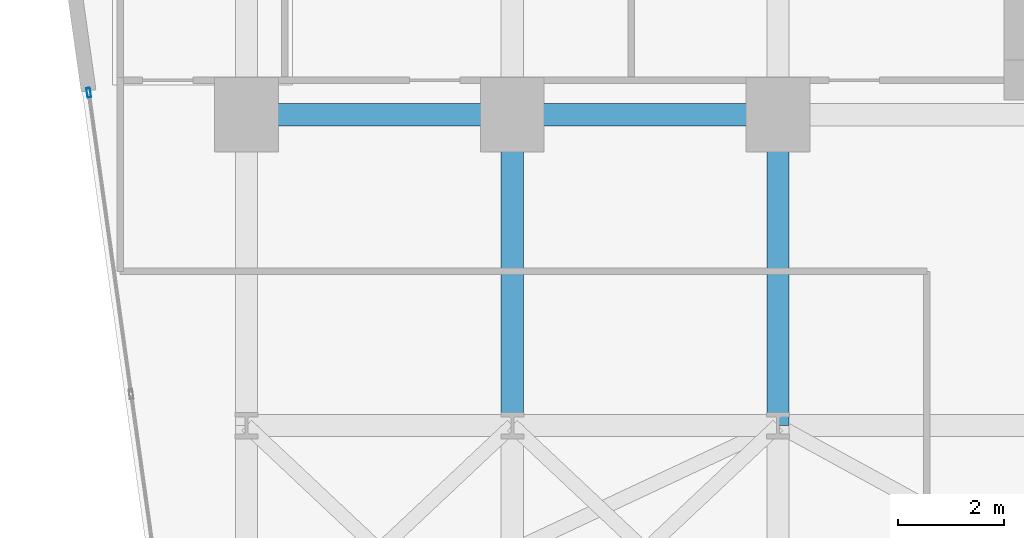
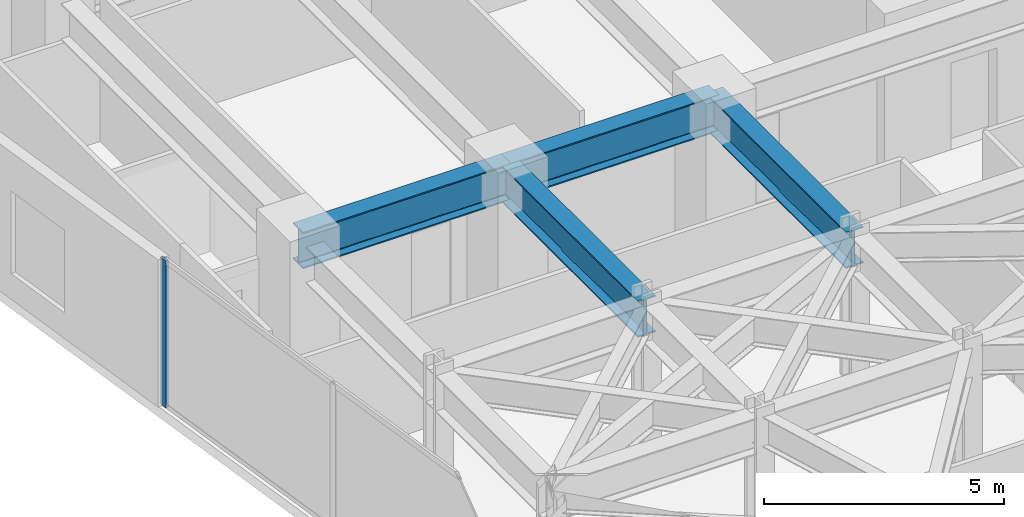
# One storey, part 17 of 24: 4 beams, 1 member, 1 element without a shape of its own.
"""IFC4 building model written with IfcOpenShell, lengths in metres."""

import ifcopenshell
import ifcopenshell.guid

model = None  # the IFC model being written
_history = None  # IfcOwnerHistory: only IFC2X3 demands one
_inside = {}  # id of a spatial element -> (the spatial element, [elements in it])
_under = {}  # id of a project, library or spatial element -> (it, [spatial elements below it])
_declared = {}  # id of a project -> (the project, [libraries it declares])
_typed = {}  # id of a type object -> (the type object, [elements of that type])
_made_of = {}  # id of a material, layer set ... -> (it, [elements and type objects made of it])


def new_model(schema):
    """Start an empty IFC model of exactly this schema.

    Asked for "IFC4X3", IfcOpenShell would pick the latest addendum, in which some entities
    have other attributes; the version numbers below select the first issue.
    IFC2X3 requires an IfcOwnerHistory on every rooted entity: one is made here for all.
    """
    global model, _history
    if schema == "IFC4X3":
        model = ifcopenshell.file(schema_version=(4, 3, 0, 0))
    else:
        model = ifcopenshell.file(schema=schema)
    _inside.clear()
    _under.clear()
    _declared.clear()
    _typed.clear()
    _made_of.clear()
    _history = None
    if model.schema == "IFC2X3":
        org = make("IfcOrganization", Name="unknown")
        user = make(
            "IfcPersonAndOrganization",
            ThePerson=make("IfcPerson", FamilyName="unknown"),
            TheOrganization=org,
        )
        app = make(
            "IfcApplication",
            ApplicationDeveloper=org,
            Version="unknown",
            ApplicationFullName="unknown",
            ApplicationIdentifier="unknown",
        )
        _history = make(
            "IfcOwnerHistory",
            OwningUser=user,
            OwningApplication=app,
            ChangeAction="ADDED",
            CreationDate=0,
        )
    return model


def make(cls, **values):
    """One entity of the class cls with the attributes given. An attribute that is None is left unset."""
    return model.create_entity(
        cls, **{name: value for name, value in values.items() if value is not None}
    )


def rooted(cls, **values):
    """An entity with a GlobalId (a new one), such as an element, a storey or a relation."""
    return make(cls, GlobalId=ifcopenshell.guid.new(), OwnerHistory=_history, **values)


def si_unit(unit_type, name, prefix=None):
    """IfcSIUnit, for example si_unit("LENGTHUNIT", "METRE", prefix="MILLI")."""
    return make("IfcSIUnit", UnitType=unit_type, Prefix=prefix, Name=name)


def assignment(units):
    """IfcUnitAssignment: the units of a project."""
    return None if units is None else make("IfcUnitAssignment", Units=units)


def point(xyz):
    """IfcCartesianPoint."""
    return None if xyz is None else make("IfcCartesianPoint", Coordinates=xyz)


def direction(xyz):
    """IfcDirection."""
    return None if xyz is None else make("IfcDirection", DirectionRatios=xyz)


def frame(location, z_axis=None, x_axis=None):
    """IfcAxis2Placement3D, a coordinate frame: its origin and axes. An axis left out is left unset."""
    return make(
        "IfcAxis2Placement3D",
        Location=point(location),
        Axis=direction(z_axis),
        RefDirection=direction(x_axis),
    )


def frame_2d(location, x_axis=None):
    """IfcAxis2Placement2D, a coordinate frame in the plane: its origin and x axis."""
    return make(
        "IfcAxis2Placement2D", Location=point(location), RefDirection=direction(x_axis)
    )


def origin():
    """The frame at (0, 0, 0) with its axes left unset."""
    return frame((0.0, 0.0, 0.0))


def origin_2d():
    """The frame at (0, 0) in the plane with its x axis left unset."""
    return frame_2d((0.0, 0.0))


def place(relative_to, where):
    """IfcLocalPlacement: puts the frame where relative to a parent placement (None: the world)."""
    return make(
        "IfcLocalPlacement", PlacementRelTo=relative_to, RelativePlacement=where
    )


def context(
    kind, dimensions, precision=None, world=None, true_north=None, identifier=None
):
    """IfcGeometricRepresentationContext, for example the 3D "Model" context."""
    return make(
        "IfcGeometricRepresentationContext",
        ContextIdentifier=identifier,
        ContextType=kind,
        CoordinateSpaceDimension=dimensions,
        Precision=precision,
        WorldCoordinateSystem=world,
        TrueNorth=true_north,
    )


def subcontext(parent, identifier, kind, view, scale=None):
    """IfcGeometricRepresentationSubContext, for example "Body" below "Model"."""
    return make(
        "IfcGeometricRepresentationSubContext",
        ContextIdentifier=identifier,
        ContextType=kind,
        ParentContext=parent,
        TargetScale=scale,
        TargetView=view,
    )


def project(units=None, contexts=None):
    """IfcProject with its units and contexts."""
    return rooted(
        "IfcProject",
        Name="project",
        RepresentationContexts=contexts,
        UnitsInContext=assignment(units),
    )


def spatial(cls, under=None, at=None, **own):
    """A site, building, storey or space (cls), placed at a placement, below another one or the project."""
    s = rooted(cls, ObjectPlacement=at, **own)
    if under is not None:
        _under.setdefault(under.id(), (under, []))[1].append(s)
    return s


def profile(cls, at=None, kind="AREA", **sizes):
    """A parametric profile (cls). Its sizes go by their IFC names, for example OverallWidth=200.0."""
    return make(cls, ProfileType=kind, Position=at, **sizes)


def hollow_rectangle(**sizes):
    """IfcRectangleHollowProfileDef."""
    return profile("IfcRectangleHollowProfileDef", **sizes)


def i_section(**sizes):
    """IfcIShapeProfileDef."""
    return profile("IfcIShapeProfileDef", **sizes)


def extrude(swept, where, along, depth):
    """IfcExtrudedAreaSolid: the profile swept, set in the frame where, extruded along a direction by depth."""
    return make(
        "IfcExtrudedAreaSolid",
        SweptArea=swept,
        Position=where,
        ExtrudedDirection=direction(along),
        Depth=depth,
    )


def shape(context_of_items, identifier, shape_type, items):
    """IfcShapeRepresentation: the items that make up one representation, for example the "Body"."""
    return make(
        "IfcShapeRepresentation",
        ContextOfItems=context_of_items,
        RepresentationIdentifier=identifier,
        RepresentationType=shape_type,
        Items=items,
    )


def material(Name=None, Category=None):
    """IfcMaterial."""
    return make("IfcMaterial", Name=Name, Category=Category)


def layer(
    of_material, thickness, ventilated=None, Name=None, Category=None, Priority=None
):
    """IfcMaterialLayer: one layer of a wall or slab, of a material (None: an air gap)."""
    return make(
        "IfcMaterialLayer",
        Material=of_material,
        LayerThickness=thickness,
        IsVentilated=ventilated,
        Name=Name,
        Category=Category,
        Priority=Priority,
    )


def layer_set(layers, Name=None):
    """IfcMaterialLayerSet."""
    return make("IfcMaterialLayerSet", MaterialLayers=layers, LayerSetName=Name)


def material_profile(
    of_material, cross_section, Name=None, Category=None, Priority=None
):
    """IfcMaterialProfile: a cross section and its material."""
    return make(
        "IfcMaterialProfile",
        Name=Name,
        Material=of_material,
        Profile=cross_section,
        Priority=Priority,
        Category=Category,
    )


def profile_set(profiles, Name=None, composite=None):
    """IfcMaterialProfileSet."""
    return make(
        "IfcMaterialProfileSet",
        Name=Name,
        MaterialProfiles=profiles,
        CompositeProfile=composite,
    )


def made_of(thing, what):
    """Note that an element or type object is made of a material, layer set ...; save() writes the relation."""
    if what is not None:
        _made_of.setdefault(what.id(), (what, []))[1].append(thing)
    return thing


def type_object(cls, material=None, **own):
    """A type object (cls), such as IfcWallType, which elements share."""
    return made_of(rooted(cls, **own), material)


def element(
    cls,
    number,
    at=None,
    inside=None,
    cuts=None,
    type_object=None,
    material=None,
    context=None,
    identifier="Body",
    shape_type=None,
    held_by="IfcProductDefinitionShape",
    body=None,
    shapes=None,
    **own,
):
    """One element of the class cls, such as IfcWall. Its Tag is "e" and its number.

    at: its placement. inside: the storey or other place that contains it. cuts: it is an
    opening in that element (IfcRelVoidsElement). A single representation is given by context,
    identifier, shape_type and body (its items); several are given by shapes. held_by: the class
    of the entity that holds the representations. save() writes the other relations.
    """
    e = rooted(cls, Tag="e%d" % number, ObjectPlacement=at, **own)
    if body is not None:
        shapes = [shape(context, identifier, shape_type, body)]
    if shapes is not None:
        e.Representation = make(held_by, Representations=shapes)
    if inside is not None:
        _inside.setdefault(inside.id(), (inside, []))[1].append(e)
    if cuts is not None:
        rooted(
            "IfcRelVoidsElement", RelatingBuildingElement=cuts, RelatedOpeningElement=e
        )
    if type_object is not None:
        _typed.setdefault(type_object.id(), (type_object, []))[1].append(e)
    return made_of(e, material)


def aggregate(whole, parts):
    """IfcRelAggregates: a whole, such as a stair, and the parts it consists of."""
    return rooted("IfcRelAggregates", RelatingObject=whole, RelatedObjects=parts)


def save(model, path):
    """Write the relations noted so far, then the file.

    IfcRelAggregates (storeys below a building ...), IfcRelContainedInSpatialStructure (elements
    in a storey), IfcRelDefinesByType, IfcRelAssociatesMaterial and IfcRelDeclares: one each for
    every whole, place, type object, material and project.
    """
    for whole, parts in _under.values():
        aggregate(whole, parts)
    for where, things in _inside.values():
        rooted(
            "IfcRelContainedInSpatialStructure",
            RelatedElements=things,
            RelatingStructure=where,
        )
    for kind, things in _typed.values():
        rooted("IfcRelDefinesByType", RelatedObjects=things, RelatingType=kind)
    for what, things in _made_of.values():
        rooted("IfcRelAssociatesMaterial", RelatedObjects=things, RelatingMaterial=what)
    for by, libraries in _declared.values():
        rooted("IfcRelDeclares", RelatingContext=by, RelatedDefinitions=libraries)
    model.write(path)


model = new_model("IFC4")

# Units and contexts
model_context = context("Model", 3, precision=1e-05, world=origin(), true_north=direction((0.0, 1.0)))
body_context = subcontext(model_context, "Body", "Model", "MODEL_VIEW")
ifc_project = project(units=[si_unit("LENGTHUNIT", "METRE"), si_unit("AREAUNIT", "SQUARE_METRE"), si_unit("VOLUMEUNIT", "CUBIC_METRE"), si_unit("PLANEANGLEUNIT", "RADIAN"), si_unit("MASSUNIT", "GRAM", prefix="KILO")], contexts=[model_context])

# Site, building, storey
site_placement = place(None, origin())
site = spatial("IfcSite", under=ifc_project, at=site_placement, CompositionType="ELEMENT")
building_placement = place(site_placement, origin())
building = spatial("IfcBuilding", under=site, at=building_placement, Name="Kravanh Interchange Tower", CompositionType="ELEMENT")
storey_placement = place(building_placement, frame((0.0, 0.0, 69.5)))
storey = spatial("IfcBuildingStorey", under=building, at=storey_placement, Name="L16", CompositionType="ELEMENT", Elevation=69.5)

# Curtain wall, member
ifc_material_1 = material(Name="Anodised Bronze Aluminium", Category="aluminium")
ifc_layer = layer(ifc_material_1, 0.179931640625)
ifc_layer_set = layer_set([ifc_layer], Name="Unitised Curtain Wall System CW-Z1 Lower Office")
curtain_wall_type = type_object("IfcCurtainWallType", Name="Unitised Curtain Wall System CW-Z1 Lower Office", PredefinedType="NOTDEFINED", material=ifc_layer_set)
curtain_wall_placement = place(storey_placement, origin())
curtain_wall = element("IfcCurtainWall", 1, at=curtain_wall_placement, inside=storey, type_object=curtain_wall_type, Name="L16 Unitised Curtain Wall CW-L16-01", PredefinedType="NOTDEFINED")
ifc_material_2 = material(Name="Anodised Bronze Aluminium", Category="aluminium")
ifc_material_profile_1 = material_profile(ifc_material_2, hollow_rectangle(XDim=0.070068359375, YDim=0.179931640625, WallThickness=0.00390625, at=origin_2d()), Name="ALU70X180X4")
ifc_profile_set_1 = profile_set([ifc_material_profile_1], Name="Anodised Bronze Aluminium")
member_type = type_object("IfcMemberType", Name="Curtain Wall Mullion ALU70X180X4 Bronze", PredefinedType="MULLION", material=ifc_profile_set_1)
member_placement = place(storey_placement, frame((5.6298828125, 37.765380859375, 0.0), z_axis=(0.0, 0.0, 1.0), x_axis=(-0.990267585682, -0.139176538065, 0.0)))
member = element("IfcMember", 2, at=member_placement, type_object=member_type, Name="CW-Z1 mullion 7", PredefinedType="MULLION", context=body_context, shape_type="SweptSolid", body=[
    extrude(hollow_rectangle(XDim=0.070068359375, YDim=0.179931640625, WallThickness=0.00390625, at=origin_2d()), origin(), (0.0, 0.0, 1.0), 3.739990234375),
])
aggregate(curtain_wall, [member])

# Beams
ifc_material_3 = material(Name="Structural Steel S355", Category="steel")
ifc_material_profile_2 = material_profile(ifc_material_3, i_section(OverallWidth=0.41796875, OverallDepth=0.927001953125, WebThickness=0.019287109375, FlangeThickness=0.031982421875, FilletRadius=0.028076171875, at=origin_2d()), Name="W36X231")
ifc_profile_set_2 = profile_set([ifc_material_profile_2], Name="Structural Steel S355")
beam_type = type_object("IfcBeamType", Name="Floor Beam W36X231 Structural Steel S355", PredefinedType="BEAM", material=ifc_profile_set_2)
beam_1_placement = place(storey_placement, frame((18.60009765625, 37.35009765625, 3.276611328125), z_axis=(-1.0, 0.0, 0.0), x_axis=(0.0, -1.0, 0.0)))
element("IfcBeam", 3, at=beam_1_placement, inside=storey, type_object=beam_type, Name="L16 Primary Floor Girder 28", PredefinedType="BEAM", context=body_context, shape_type="SweptSolid", body=[
    extrude(i_section(OverallWidth=0.41796875, OverallDepth=0.927001953125, WebThickness=0.019287109375, FlangeThickness=0.031982421875, FilletRadius=0.028076171875, at=origin_2d()), origin(), (0.0, 0.0, 1.0), 5.0),
])
beam_2_placement = place(storey_placement, frame((18.60009765625, 37.35009765625, 3.276611328125), z_axis=(0.0, -1.0, 0.0), x_axis=(1.0, 0.0, 0.0)))
element("IfcBeam", 4, at=beam_2_placement, inside=storey, type_object=beam_type, Name="L16 Primary Floor Girder 29", PredefinedType="BEAM", context=body_context, shape_type="SweptSolid", body=[
    extrude(i_section(OverallWidth=0.41796875, OverallDepth=0.927001953125, WebThickness=0.019287109375, FlangeThickness=0.031982421875, FilletRadius=0.028076171875, at=origin_2d()), origin(), (0.0, 0.0, 1.0), 5.85009765625),
])
beam_3_placement = place(storey_placement, frame((13.60009765625, 37.35009765625, 3.276611328125), z_axis=(-1.0, 0.0, 0.0), x_axis=(0.0, -1.0, 0.0)))
element("IfcBeam", 5, at=beam_3_placement, inside=storey, type_object=beam_type, Name="L16 Primary Floor Girder 32", PredefinedType="BEAM", context=body_context, shape_type="SweptSolid", body=[
    extrude(i_section(OverallWidth=0.41796875, OverallDepth=0.927001953125, WebThickness=0.019287109375, FlangeThickness=0.031982421875, FilletRadius=0.028076171875, at=origin_2d()), origin(), (0.0, 0.0, 1.0), 5.0),
])
beam_4_placement = place(storey_placement, frame((13.60009765625, 37.35009765625, 3.276611328125), z_axis=(0.0, -1.0, 0.0), x_axis=(1.0, 0.0, 0.0)))
element("IfcBeam", 6, at=beam_4_placement, inside=storey, type_object=beam_type, Name="L16 Primary Floor Girder 33", PredefinedType="BEAM", context=body_context, shape_type="SweptSolid", body=[
    extrude(i_section(OverallWidth=0.41796875, OverallDepth=0.927001953125, WebThickness=0.019287109375, FlangeThickness=0.031982421875, FilletRadius=0.028076171875, at=origin_2d()), origin(), (0.0, 0.0, 1.0), 5.85009765625),
])

save(model, "model.ifc")
